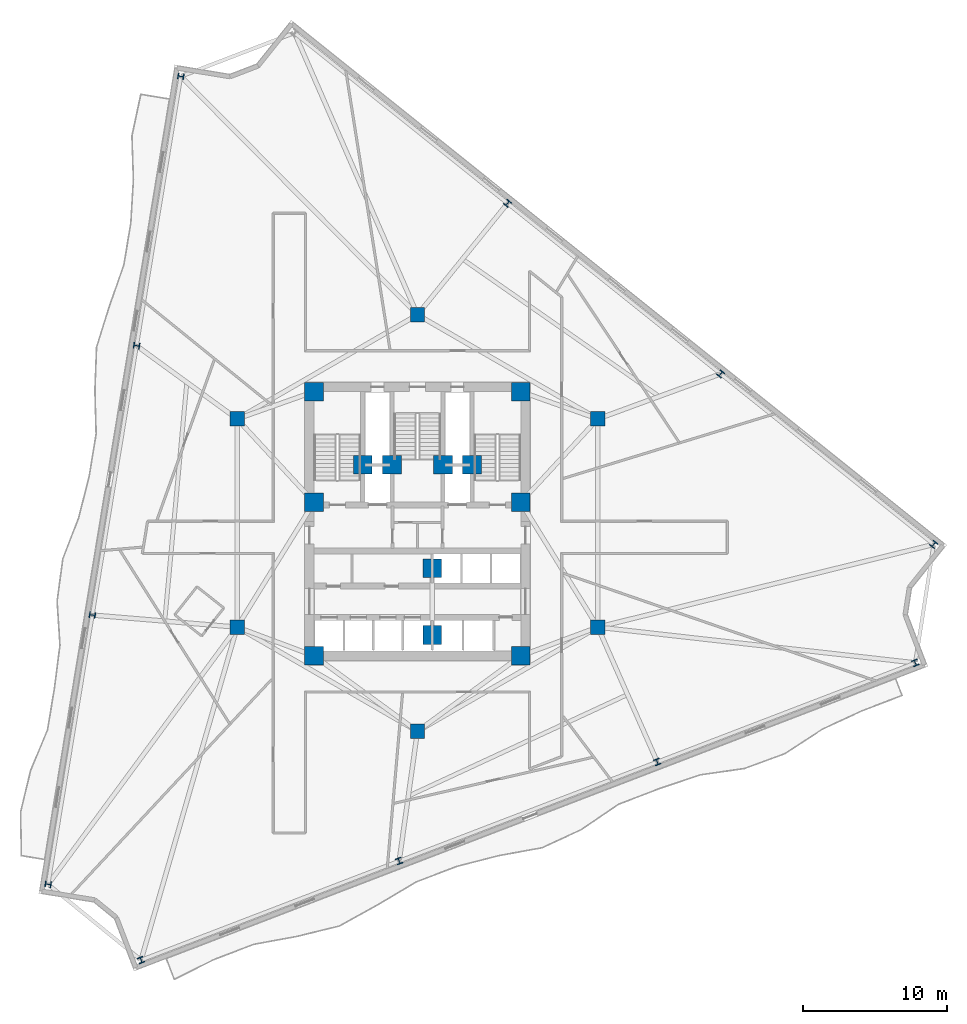
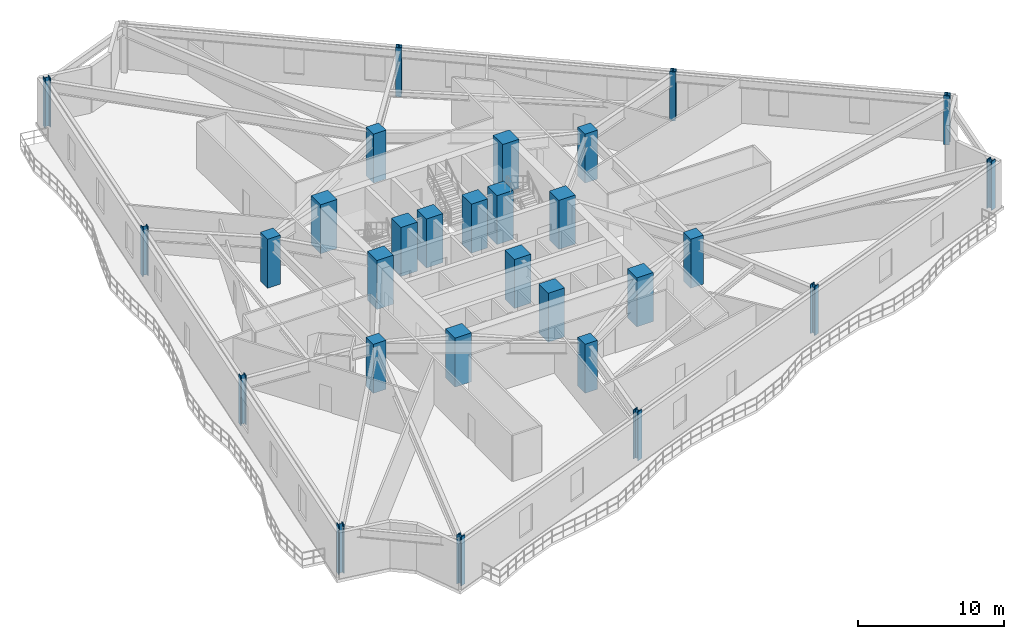
# One storey, part 1 of 10: 29 columns.
"""IFC4 building model written with IfcOpenShell, lengths in metres."""

import ifcopenshell
import ifcopenshell.guid

model = None  # the IFC model being written
_history = None  # IfcOwnerHistory: only IFC2X3 demands one
_inside = {}  # id of a spatial element -> (the spatial element, [elements in it])
_under = {}  # id of a project, library or spatial element -> (it, [spatial elements below it])
_declared = {}  # id of a project -> (the project, [libraries it declares])
_typed = {}  # id of a type object -> (the type object, [elements of that type])
_made_of = {}  # id of a material, layer set ... -> (it, [elements and type objects made of it])


def new_model(schema):
    """Start an empty IFC model of exactly this schema.

    Asked for "IFC4X3", IfcOpenShell would pick the latest addendum, in which some entities
    have other attributes; the version numbers below select the first issue.
    IFC2X3 requires an IfcOwnerHistory on every rooted entity: one is made here for all.
    """
    global model, _history
    if schema == "IFC4X3":
        model = ifcopenshell.file(schema_version=(4, 3, 0, 0))
    else:
        model = ifcopenshell.file(schema=schema)
    _inside.clear()
    _under.clear()
    _declared.clear()
    _typed.clear()
    _made_of.clear()
    _history = None
    if model.schema == "IFC2X3":
        org = make("IfcOrganization", Name="unknown")
        user = make(
            "IfcPersonAndOrganization",
            ThePerson=make("IfcPerson", FamilyName="unknown"),
            TheOrganization=org,
        )
        app = make(
            "IfcApplication",
            ApplicationDeveloper=org,
            Version="unknown",
            ApplicationFullName="unknown",
            ApplicationIdentifier="unknown",
        )
        _history = make(
            "IfcOwnerHistory",
            OwningUser=user,
            OwningApplication=app,
            ChangeAction="ADDED",
            CreationDate=0,
        )
    return model


def make(cls, **values):
    """One entity of the class cls with the attributes given. An attribute that is None is left unset."""
    return model.create_entity(
        cls, **{name: value for name, value in values.items() if value is not None}
    )


def rooted(cls, **values):
    """An entity with a GlobalId (a new one), such as an element, a storey or a relation."""
    return make(cls, GlobalId=ifcopenshell.guid.new(), OwnerHistory=_history, **values)


def si_unit(unit_type, name, prefix=None):
    """IfcSIUnit, for example si_unit("LENGTHUNIT", "METRE", prefix="MILLI")."""
    return make("IfcSIUnit", UnitType=unit_type, Prefix=prefix, Name=name)


def assignment(units):
    """IfcUnitAssignment: the units of a project."""
    return None if units is None else make("IfcUnitAssignment", Units=units)


def point(xyz):
    """IfcCartesianPoint."""
    return None if xyz is None else make("IfcCartesianPoint", Coordinates=xyz)


def direction(xyz):
    """IfcDirection."""
    return None if xyz is None else make("IfcDirection", DirectionRatios=xyz)


def frame(location, z_axis=None, x_axis=None):
    """IfcAxis2Placement3D, a coordinate frame: its origin and axes. An axis left out is left unset."""
    return make(
        "IfcAxis2Placement3D",
        Location=point(location),
        Axis=direction(z_axis),
        RefDirection=direction(x_axis),
    )


def frame_2d(location, x_axis=None):
    """IfcAxis2Placement2D, a coordinate frame in the plane: its origin and x axis."""
    return make(
        "IfcAxis2Placement2D", Location=point(location), RefDirection=direction(x_axis)
    )


def origin():
    """The frame at (0, 0, 0) with its axes left unset."""
    return frame((0.0, 0.0, 0.0))


def origin_2d():
    """The frame at (0, 0) in the plane with its x axis left unset."""
    return frame_2d((0.0, 0.0))


def place(relative_to, where):
    """IfcLocalPlacement: puts the frame where relative to a parent placement (None: the world)."""
    return make(
        "IfcLocalPlacement", PlacementRelTo=relative_to, RelativePlacement=where
    )


def context(
    kind, dimensions, precision=None, world=None, true_north=None, identifier=None
):
    """IfcGeometricRepresentationContext, for example the 3D "Model" context."""
    return make(
        "IfcGeometricRepresentationContext",
        ContextIdentifier=identifier,
        ContextType=kind,
        CoordinateSpaceDimension=dimensions,
        Precision=precision,
        WorldCoordinateSystem=world,
        TrueNorth=true_north,
    )


def subcontext(parent, identifier, kind, view, scale=None):
    """IfcGeometricRepresentationSubContext, for example "Body" below "Model"."""
    return make(
        "IfcGeometricRepresentationSubContext",
        ContextIdentifier=identifier,
        ContextType=kind,
        ParentContext=parent,
        TargetScale=scale,
        TargetView=view,
    )


def project(units=None, contexts=None):
    """IfcProject with its units and contexts."""
    return rooted(
        "IfcProject",
        Name="project",
        RepresentationContexts=contexts,
        UnitsInContext=assignment(units),
    )


def spatial(cls, under=None, at=None, **own):
    """A site, building, storey or space (cls), placed at a placement, below another one or the project."""
    s = rooted(cls, ObjectPlacement=at, **own)
    if under is not None:
        _under.setdefault(under.id(), (under, []))[1].append(s)
    return s


def profile(cls, at=None, kind="AREA", **sizes):
    """A parametric profile (cls). Its sizes go by their IFC names, for example OverallWidth=200.0."""
    return make(cls, ProfileType=kind, Position=at, **sizes)


def rectangle(**sizes):
    """IfcRectangleProfileDef."""
    return profile("IfcRectangleProfileDef", **sizes)


def i_section(**sizes):
    """IfcIShapeProfileDef."""
    return profile("IfcIShapeProfileDef", **sizes)


def extrude(swept, where, along, depth):
    """IfcExtrudedAreaSolid: the profile swept, set in the frame where, extruded along a direction by depth."""
    return make(
        "IfcExtrudedAreaSolid",
        SweptArea=swept,
        Position=where,
        ExtrudedDirection=direction(along),
        Depth=depth,
    )


def shape(context_of_items, identifier, shape_type, items):
    """IfcShapeRepresentation: the items that make up one representation, for example the "Body"."""
    return make(
        "IfcShapeRepresentation",
        ContextOfItems=context_of_items,
        RepresentationIdentifier=identifier,
        RepresentationType=shape_type,
        Items=items,
    )


def material(Name=None, Category=None):
    """IfcMaterial."""
    return make("IfcMaterial", Name=Name, Category=Category)


def material_profile(
    of_material, cross_section, Name=None, Category=None, Priority=None
):
    """IfcMaterialProfile: a cross section and its material."""
    return make(
        "IfcMaterialProfile",
        Name=Name,
        Material=of_material,
        Profile=cross_section,
        Priority=Priority,
        Category=Category,
    )


def profile_set(profiles, Name=None, composite=None):
    """IfcMaterialProfileSet."""
    return make(
        "IfcMaterialProfileSet",
        Name=Name,
        MaterialProfiles=profiles,
        CompositeProfile=composite,
    )


def made_of(thing, what):
    """Note that an element or type object is made of a material, layer set ...; save() writes the relation."""
    if what is not None:
        _made_of.setdefault(what.id(), (what, []))[1].append(thing)
    return thing


def type_object(cls, material=None, **own):
    """A type object (cls), such as IfcWallType, which elements share."""
    return made_of(rooted(cls, **own), material)


def element(
    cls,
    number,
    at=None,
    inside=None,
    cuts=None,
    type_object=None,
    material=None,
    context=None,
    identifier="Body",
    shape_type=None,
    held_by="IfcProductDefinitionShape",
    body=None,
    shapes=None,
    **own,
):
    """One element of the class cls, such as IfcWall. Its Tag is "e" and its number.

    at: its placement. inside: the storey or other place that contains it. cuts: it is an
    opening in that element (IfcRelVoidsElement). A single representation is given by context,
    identifier, shape_type and body (its items); several are given by shapes. held_by: the class
    of the entity that holds the representations. save() writes the other relations.
    """
    e = rooted(cls, Tag="e%d" % number, ObjectPlacement=at, **own)
    if body is not None:
        shapes = [shape(context, identifier, shape_type, body)]
    if shapes is not None:
        e.Representation = make(held_by, Representations=shapes)
    if inside is not None:
        _inside.setdefault(inside.id(), (inside, []))[1].append(e)
    if cuts is not None:
        rooted(
            "IfcRelVoidsElement", RelatingBuildingElement=cuts, RelatedOpeningElement=e
        )
    if type_object is not None:
        _typed.setdefault(type_object.id(), (type_object, []))[1].append(e)
    return made_of(e, material)


def aggregate(whole, parts):
    """IfcRelAggregates: a whole, such as a stair, and the parts it consists of."""
    return rooted("IfcRelAggregates", RelatingObject=whole, RelatedObjects=parts)


def save(model, path):
    """Write the relations noted so far, then the file.

    IfcRelAggregates (storeys below a building ...), IfcRelContainedInSpatialStructure (elements
    in a storey), IfcRelDefinesByType, IfcRelAssociatesMaterial and IfcRelDeclares: one each for
    every whole, place, type object, material and project.
    """
    for whole, parts in _under.values():
        aggregate(whole, parts)
    for where, things in _inside.values():
        rooted(
            "IfcRelContainedInSpatialStructure",
            RelatedElements=things,
            RelatingStructure=where,
        )
    for kind, things in _typed.values():
        rooted("IfcRelDefinesByType", RelatedObjects=things, RelatingType=kind)
    for what, things in _made_of.values():
        rooted("IfcRelAssociatesMaterial", RelatedObjects=things, RelatingMaterial=what)
    for by, libraries in _declared.values():
        rooted("IfcRelDeclares", RelatingContext=by, RelatedDefinitions=libraries)
    model.write(path)


model = new_model("IFC4")

# Units and contexts
model_context = context("Model", 3, precision=1e-05, world=origin(), true_north=direction((0.0, 1.0)))
body_context = subcontext(model_context, "Body", "Model", "MODEL_VIEW")
ifc_project = project(units=[si_unit("LENGTHUNIT", "METRE"), si_unit("AREAUNIT", "SQUARE_METRE"), si_unit("VOLUMEUNIT", "CUBIC_METRE"), si_unit("PLANEANGLEUNIT", "RADIAN"), si_unit("MASSUNIT", "GRAM", prefix="KILO")], contexts=[model_context])

# Site, building, storey
site_placement = place(None, origin())
site = spatial("IfcSite", under=ifc_project, at=site_placement, CompositionType="ELEMENT")
building_placement = place(site_placement, origin())
building = spatial("IfcBuilding", under=site, at=building_placement, Name="Apsidion Concourse Tower", CompositionType="ELEMENT")
storey_placement = place(building_placement, frame((0.0, 0.0, 144.5)))
storey = spatial("IfcBuildingStorey", under=building, at=storey_placement, Name="L33", CompositionType="ELEMENT", Elevation=144.5)

# Columns
ifc_material_1 = material(Name="Concrete C50/60", Category="concrete")
ifc_material_profile_1 = material_profile(ifc_material_1, rectangle(XDim=1.0, YDim=1.0, at=origin_2d()), Name="RC 1000x1000")
ifc_profile_set_1 = profile_set([ifc_material_profile_1], Name="Concrete C50/60")
column_type_1 = type_object("IfcColumnType", Name="COL-RC-1000", PredefinedType="COLUMN", material=ifc_profile_set_1)
for number, where, z_axis, x_axis, name in (
    (1, (-12.56005859375, -7.25, 0.0), (0.0, 0.0, 1.0), (1.0, 0.0, 0.0), "L33 Interior Spine Column IC1"),
    (2, (12.56005859375, -7.25, 0.0), (0.0, 0.0, 1.0), (1.0, 0.0, 0.0), "L33 Interior Spine Column IC2"),
    (3, (12.56005859375, 7.25, 0.0), (0.0, 0.0, 1.0), (1.0, 0.0, 0.0), "L33 Interior Spine Column IC3"),
    (4, (0.0, 14.5, 0.0), (0.0, 0.0, 1.0), (1.0, 0.0, 0.0), "L33 Interior Spine Column IC4"),
    (5, (-12.56005859375, 7.25, 0.0), (0.0, 0.0, 1.0), (1.0, 0.0, 0.0), "L33 Interior Spine Column IC5"),
    (6, (0.0, -14.5, 0.0), (0.0, 0.0, 1.0), (1.0, 0.0, 0.0), "L33 Interior Spine Column IC6"),
):
    element("IfcColumn", number, at=place(storey_placement, frame(where, z_axis=z_axis, x_axis=x_axis)), inside=storey, type_object=column_type_1, Name=name, PredefinedType="COLUMN", context=body_context, shape_type="SweptSolid", body=[
        extrude(rectangle(XDim=1.0, YDim=1.0, at=origin_2d()), origin(), (0.0, 0.0, 1.0), 4.10009765625),
    ])
ifc_material_profile_2 = material_profile(ifc_material_1, rectangle(XDim=1.300048828125, YDim=1.300048828125, at=origin_2d()), Name="RC 1300x1300")
ifc_profile_set_2 = profile_set([ifc_material_profile_2], Name="Concrete C50/60")
column_type_2 = type_object("IfcColumnType", Name="COL-RC-1300", PredefinedType="COLUMN", material=ifc_profile_set_2)
for number, where, z_axis, x_axis, name in (
    (7, (-7.199951171875, -9.25, 0.0), (0.0, 0.0, 1.0), (1.0, 0.0, 0.0), "L33 Core Super-Column SC1"),
    (8, (7.199951171875, -9.25, 0.0), (0.0, 0.0, 1.0), (1.0, 0.0, 0.0), "L33 Core Super-Column SC2"),
    (9, (7.199951171875, 1.449951171875, 0.0), (0.0, 0.0, 1.0), (1.0, 0.0, 0.0), "L33 Core Super-Column SC3"),
    (10, (7.199951171875, 9.14990234375, 0.0), (0.0, 0.0, 1.0), (1.0, 0.0, 0.0), "L33 Core Super-Column SC4"),
    (11, (-7.199951171875, 9.14990234375, 0.0), (0.0, 0.0, 1.0), (1.0, 0.0, 0.0), "L33 Core Super-Column SC5"),
    (12, (-7.199951171875, 1.449951171875, 0.0), (0.0, 0.0, 1.0), (1.0, 0.0, 0.0), "L33 Core Super-Column SC6"),
    (13, (-3.800048828125, 4.050048828125, 0.0), (0.0, 0.0, 1.0), (1.0, 0.0, 0.0), "L33 Core Super-Column CC1"),
    (14, (3.800048828125, 4.050048828125, 0.0), (0.0, 0.0, 1.0), (1.0, 0.0, 0.0), "L33 Core Super-Column CC2"),
    (15, (-1.77490234375, 4.050048828125, 0.0), (0.0, 0.0, 1.0), (1.0, 0.0, 0.0), "L33 Core Super-Column CC3"),
    (16, (1.77490234375, 4.050048828125, 0.0), (0.0, 0.0, 1.0), (1.0, 0.0, 0.0), "L33 Core Super-Column CC4"),
    (17, (1.02490234375, -3.14990234375, 0.0), (0.0, 0.0, 1.0), (1.0, 0.0, 0.0), "L33 Core Super-Column CC5"),
    (18, (1.02490234375, -7.800048828125, 0.0), (0.0, 0.0, 1.0), (1.0, 0.0, 0.0), "L33 Core Super-Column CC6"),
):
    element("IfcColumn", number, at=place(storey_placement, frame(where, z_axis=z_axis, x_axis=x_axis)), inside=storey, type_object=column_type_2, Name=name, PredefinedType="COLUMN", context=body_context, shape_type="SweptSolid", body=[
        extrude(rectangle(XDim=1.300048828125, YDim=1.300048828125, at=origin_2d()), origin(), (0.0, 0.0, 1.0), 4.10009765625),
    ])
ifc_material_2 = material(Name="Structural steel ASTM A992 Grade 50", Category="steel")
ifc_material_profile_3 = material_profile(ifc_material_2, i_section(OverallWidth=0.410888671875, OverallDepth=0.43408203125, WebThickness=0.035888671875, FlangeThickness=0.057373046875, at=origin_2d()), Name="W14X311")
ifc_profile_set_3 = profile_set([ifc_material_profile_3], Name="Structural steel ASTM A992 Grade 50")
column_type_3 = type_object("IfcColumnType", Name="COL-W14-311", PredefinedType="COLUMN", material=ifc_profile_set_3)
for number, where, z_axis, x_axis, name in (
    (19, (-16.477294921875, 31.100341796875, 0.0), (0.0, 0.0, 1.0), (0.162120515372, 0.986770965572, 0.0), "L33 Rotated Perimeter Column PC01"),
    (20, (-19.55859375, 12.34619140625, 0.0), (0.0, 0.0, 1.0), (0.162120515372, 0.986770965572, 0.0), "L33 Rotated Perimeter Column PC02"),
    (21, (-22.6396484375, -6.407958984375, 0.0), (0.0, 0.0, 1.0), (0.162120515372, 0.986770965572, 0.0), "L33 Rotated Perimeter Column PC03"),
    (22, (-25.720703125, -25.162109375, 0.0), (0.0, 0.0, 1.0), (0.162120515372, 0.986770965572, 0.0), "L33 Rotated Perimeter Column PC04"),
    (23, (-19.247314453125, -30.435302734375, 0.0), (0.0, 0.0, 1.0), (0.933580426497, 0.358367949545, 0.0), "L33 Rotated Perimeter Column PC05"),
    (24, (-1.275146484375, -23.53662109375, 0.0), (0.0, 0.0, 1.0), (0.933580426497, 0.358367949545, 0.0), "L33 Rotated Perimeter Column PC06"),
    (25, (16.69677734375, -16.6376953125, 0.0), (0.0, 0.0, 1.0), (0.933580426497, 0.358367949545, 0.0), "L33 Rotated Perimeter Column PC07"),
    (26, (34.668701171875, -9.739013671875, 0.0), (0.0, 0.0, 1.0), (0.933580426497, 0.358367949545, 0.0), "L33 Rotated Perimeter Column PC08"),
    (27, (35.951171875, -1.488525390625, 0.0), (0.0, 0.0, 1.0), (-0.780757676633, 0.624833938242, 0.0), "L33 Rotated Perimeter Column PC09"),
    (28, (21.1123046875, 10.38671875, 0.0), (0.0, 0.0, 1.0), (-0.780757676633, 0.624833938242, 0.0), "L33 Rotated Perimeter Column PC10"),
    (29, (6.2734375, 22.26220703125, 0.0), (0.0, 0.0, 1.0), (-0.780757676633, 0.624833938242, 0.0), "L33 Rotated Perimeter Column PC11"),
):
    element("IfcColumn", number, at=place(storey_placement, frame(where, z_axis=z_axis, x_axis=x_axis)), inside=storey, type_object=column_type_3, Name=name, PredefinedType="COLUMN", context=body_context, shape_type="SweptSolid", body=[
        extrude(i_section(OverallWidth=0.410888671875, OverallDepth=0.43408203125, WebThickness=0.035888671875, FlangeThickness=0.057373046875, at=origin_2d()), origin(), (0.0, 0.0, 1.0), 4.10009765625),
    ])

save(model, "model.ifc")
